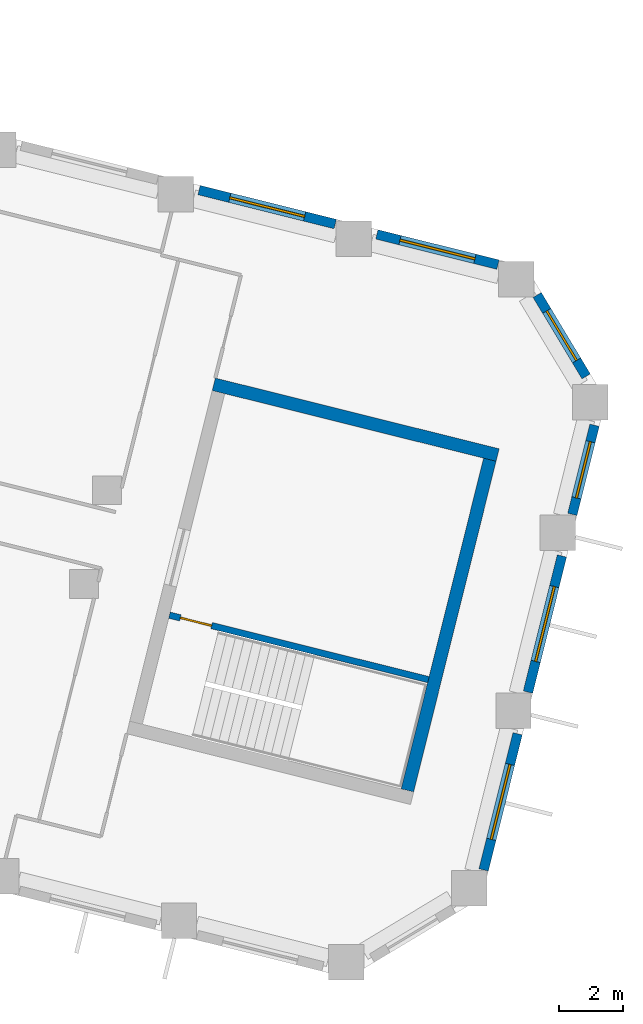
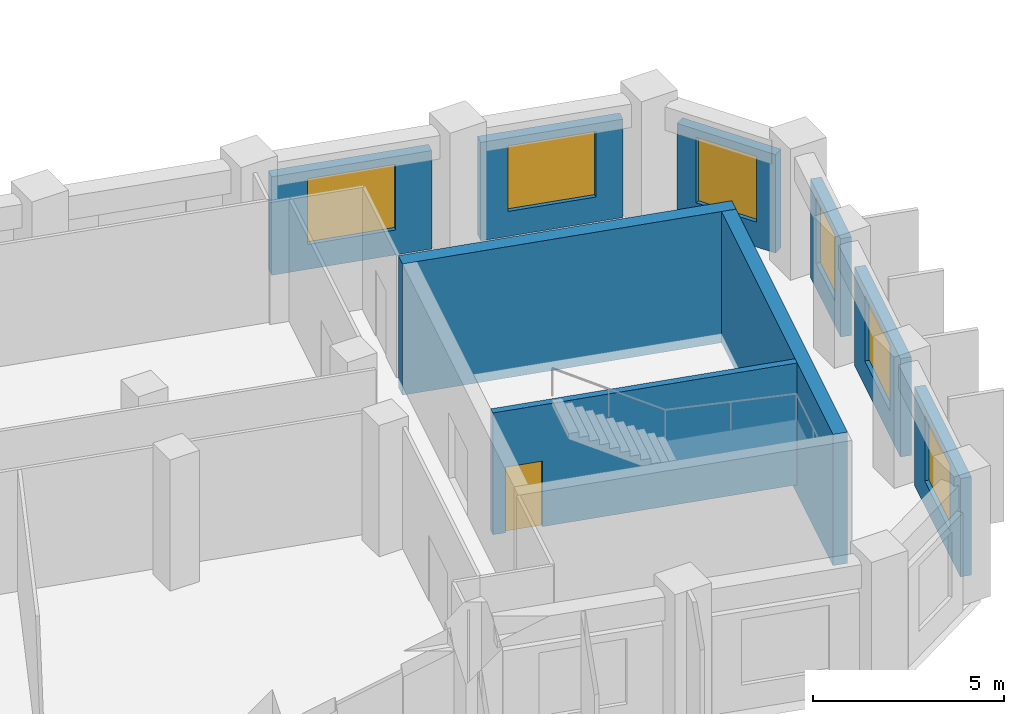
# One storey, part 7 of 10: 9 walls, 6 windows, 1 door, 7 openings.
"""IFC4 building model written with IfcOpenShell, lengths in metres."""

import ifcopenshell
import ifcopenshell.guid

model = None  # the IFC model being written
_history = None  # IfcOwnerHistory: only IFC2X3 demands one
_inside = {}  # id of a spatial element -> (the spatial element, [elements in it])
_under = {}  # id of a project, library or spatial element -> (it, [spatial elements below it])
_declared = {}  # id of a project -> (the project, [libraries it declares])
_typed = {}  # id of a type object -> (the type object, [elements of that type])
_made_of = {}  # id of a material, layer set ... -> (it, [elements and type objects made of it])


def new_model(schema):
    """Start an empty IFC model of exactly this schema.

    Asked for "IFC4X3", IfcOpenShell would pick the latest addendum, in which some entities
    have other attributes; the version numbers below select the first issue.
    IFC2X3 requires an IfcOwnerHistory on every rooted entity: one is made here for all.
    """
    global model, _history
    if schema == "IFC4X3":
        model = ifcopenshell.file(schema_version=(4, 3, 0, 0))
    else:
        model = ifcopenshell.file(schema=schema)
    _inside.clear()
    _under.clear()
    _declared.clear()
    _typed.clear()
    _made_of.clear()
    _history = None
    if model.schema == "IFC2X3":
        org = make("IfcOrganization", Name="unknown")
        user = make(
            "IfcPersonAndOrganization",
            ThePerson=make("IfcPerson", FamilyName="unknown"),
            TheOrganization=org,
        )
        app = make(
            "IfcApplication",
            ApplicationDeveloper=org,
            Version="unknown",
            ApplicationFullName="unknown",
            ApplicationIdentifier="unknown",
        )
        _history = make(
            "IfcOwnerHistory",
            OwningUser=user,
            OwningApplication=app,
            ChangeAction="ADDED",
            CreationDate=0,
        )
    return model


def make(cls, **values):
    """One entity of the class cls with the attributes given. An attribute that is None is left unset."""
    return model.create_entity(
        cls, **{name: value for name, value in values.items() if value is not None}
    )


def rooted(cls, **values):
    """An entity with a GlobalId (a new one), such as an element, a storey or a relation."""
    return make(cls, GlobalId=ifcopenshell.guid.new(), OwnerHistory=_history, **values)


def si_unit(unit_type, name, prefix=None):
    """IfcSIUnit, for example si_unit("LENGTHUNIT", "METRE", prefix="MILLI")."""
    return make("IfcSIUnit", UnitType=unit_type, Prefix=prefix, Name=name)


def assignment(units):
    """IfcUnitAssignment: the units of a project."""
    return None if units is None else make("IfcUnitAssignment", Units=units)


def point(xyz):
    """IfcCartesianPoint."""
    return None if xyz is None else make("IfcCartesianPoint", Coordinates=xyz)


def direction(xyz):
    """IfcDirection."""
    return None if xyz is None else make("IfcDirection", DirectionRatios=xyz)


def frame(location, z_axis=None, x_axis=None):
    """IfcAxis2Placement3D, a coordinate frame: its origin and axes. An axis left out is left unset."""
    return make(
        "IfcAxis2Placement3D",
        Location=point(location),
        Axis=direction(z_axis),
        RefDirection=direction(x_axis),
    )


def frame_2d(location, x_axis=None):
    """IfcAxis2Placement2D, a coordinate frame in the plane: its origin and x axis."""
    return make(
        "IfcAxis2Placement2D", Location=point(location), RefDirection=direction(x_axis)
    )


def origin():
    """The frame at (0, 0, 0) with its axes left unset."""
    return frame((0.0, 0.0, 0.0))


def place(relative_to, where):
    """IfcLocalPlacement: puts the frame where relative to a parent placement (None: the world)."""
    return make(
        "IfcLocalPlacement", PlacementRelTo=relative_to, RelativePlacement=where
    )


def context(
    kind, dimensions, precision=None, world=None, true_north=None, identifier=None
):
    """IfcGeometricRepresentationContext, for example the 3D "Model" context."""
    return make(
        "IfcGeometricRepresentationContext",
        ContextIdentifier=identifier,
        ContextType=kind,
        CoordinateSpaceDimension=dimensions,
        Precision=precision,
        WorldCoordinateSystem=world,
        TrueNorth=true_north,
    )


def subcontext(parent, identifier, kind, view, scale=None):
    """IfcGeometricRepresentationSubContext, for example "Body" below "Model"."""
    return make(
        "IfcGeometricRepresentationSubContext",
        ContextIdentifier=identifier,
        ContextType=kind,
        ParentContext=parent,
        TargetScale=scale,
        TargetView=view,
    )


def project(units=None, contexts=None):
    """IfcProject with its units and contexts."""
    return rooted(
        "IfcProject",
        Name="project",
        RepresentationContexts=contexts,
        UnitsInContext=assignment(units),
    )


def spatial(cls, under=None, at=None, **own):
    """A site, building, storey or space (cls), placed at a placement, below another one or the project."""
    s = rooted(cls, ObjectPlacement=at, **own)
    if under is not None:
        _under.setdefault(under.id(), (under, []))[1].append(s)
    return s


def profile(cls, at=None, kind="AREA", **sizes):
    """A parametric profile (cls). Its sizes go by their IFC names, for example OverallWidth=200.0."""
    return make(cls, ProfileType=kind, Position=at, **sizes)


def rectangle(**sizes):
    """IfcRectangleProfileDef."""
    return profile("IfcRectangleProfileDef", **sizes)


def extrude(swept, where, along, depth):
    """IfcExtrudedAreaSolid: the profile swept, set in the frame where, extruded along a direction by depth."""
    return make(
        "IfcExtrudedAreaSolid",
        SweptArea=swept,
        Position=where,
        ExtrudedDirection=direction(along),
        Depth=depth,
    )


def shape(context_of_items, identifier, shape_type, items):
    """IfcShapeRepresentation: the items that make up one representation, for example the "Body"."""
    return make(
        "IfcShapeRepresentation",
        ContextOfItems=context_of_items,
        RepresentationIdentifier=identifier,
        RepresentationType=shape_type,
        Items=items,
    )


def material(Name=None, Category=None):
    """IfcMaterial."""
    return make("IfcMaterial", Name=Name, Category=Category)


def layer(
    of_material, thickness, ventilated=None, Name=None, Category=None, Priority=None
):
    """IfcMaterialLayer: one layer of a wall or slab, of a material (None: an air gap)."""
    return make(
        "IfcMaterialLayer",
        Material=of_material,
        LayerThickness=thickness,
        IsVentilated=ventilated,
        Name=Name,
        Category=Category,
        Priority=Priority,
    )


def layer_set(layers, Name=None):
    """IfcMaterialLayerSet."""
    return make("IfcMaterialLayerSet", MaterialLayers=layers, LayerSetName=Name)


def made_of(thing, what):
    """Note that an element or type object is made of a material, layer set ...; save() writes the relation."""
    if what is not None:
        _made_of.setdefault(what.id(), (what, []))[1].append(thing)
    return thing


def type_object(cls, material=None, **own):
    """A type object (cls), such as IfcWallType, which elements share."""
    return made_of(rooted(cls, **own), material)


def element(
    cls,
    number,
    at=None,
    inside=None,
    cuts=None,
    type_object=None,
    material=None,
    context=None,
    identifier="Body",
    shape_type=None,
    held_by="IfcProductDefinitionShape",
    body=None,
    shapes=None,
    **own,
):
    """One element of the class cls, such as IfcWall. Its Tag is "e" and its number.

    at: its placement. inside: the storey or other place that contains it. cuts: it is an
    opening in that element (IfcRelVoidsElement). A single representation is given by context,
    identifier, shape_type and body (its items); several are given by shapes. held_by: the class
    of the entity that holds the representations. save() writes the other relations.
    """
    e = rooted(cls, Tag="e%d" % number, ObjectPlacement=at, **own)
    if body is not None:
        shapes = [shape(context, identifier, shape_type, body)]
    if shapes is not None:
        e.Representation = make(held_by, Representations=shapes)
    if inside is not None:
        _inside.setdefault(inside.id(), (inside, []))[1].append(e)
    if cuts is not None:
        rooted(
            "IfcRelVoidsElement", RelatingBuildingElement=cuts, RelatedOpeningElement=e
        )
    if type_object is not None:
        _typed.setdefault(type_object.id(), (type_object, []))[1].append(e)
    return made_of(e, material)


def fill(opening, filler):
    """IfcRelFillsElement: the door or window that sits in an opening."""
    return rooted(
        "IfcRelFillsElement",
        RelatingOpeningElement=opening,
        RelatedBuildingElement=filler,
    )


def aggregate(whole, parts):
    """IfcRelAggregates: a whole, such as a stair, and the parts it consists of."""
    return rooted("IfcRelAggregates", RelatingObject=whole, RelatedObjects=parts)


def save(model, path):
    """Write the relations noted so far, then the file.

    IfcRelAggregates (storeys below a building ...), IfcRelContainedInSpatialStructure (elements
    in a storey), IfcRelDefinesByType, IfcRelAssociatesMaterial and IfcRelDeclares: one each for
    every whole, place, type object, material and project.
    """
    for whole, parts in _under.values():
        aggregate(whole, parts)
    for where, things in _inside.values():
        rooted(
            "IfcRelContainedInSpatialStructure",
            RelatedElements=things,
            RelatingStructure=where,
        )
    for kind, things in _typed.values():
        rooted("IfcRelDefinesByType", RelatedObjects=things, RelatingType=kind)
    for what, things in _made_of.values():
        rooted("IfcRelAssociatesMaterial", RelatedObjects=things, RelatingMaterial=what)
    for by, libraries in _declared.values():
        rooted("IfcRelDeclares", RelatingContext=by, RelatedDefinitions=libraries)
    model.write(path)


model = new_model("IFC4")

# Units and contexts
model_context = context("Model", 3, precision=1e-05, world=origin(), true_north=direction((0.0, 1.0)))
body_context = subcontext(model_context, "Body", "Model", "MODEL_VIEW")
ifc_project = project(units=[si_unit("LENGTHUNIT", "METRE"), si_unit("AREAUNIT", "SQUARE_METRE"), si_unit("VOLUMEUNIT", "CUBIC_METRE"), si_unit("PLANEANGLEUNIT", "RADIAN"), si_unit("MASSUNIT", "GRAM", prefix="KILO")], contexts=[model_context])

# Site, building, storey
site_placement = place(None, origin())
site = spatial("IfcSite", under=ifc_project, at=site_placement, CompositionType="ELEMENT")
building_placement = place(site_placement, origin())
building = spatial("IfcBuilding", under=site, at=building_placement, Name="Meshkara Civic Tower", CompositionType="ELEMENT")
storey_placement = place(building_placement, frame((0.0, 0.0, 276.0)))
storey = spatial("IfcBuildingStorey", under=building, at=storey_placement, Name="L63", CompositionType="ELEMENT", Elevation=276.0)

# Wall, opening, window
ifc_material_1 = material(Name="Insulated infill panel with bronze anodised aluminium cladding", Category="aluminium")
ifc_layer_1 = layer(ifc_material_1, 0.300048828125)
ifc_layer_set_1 = layer_set([ifc_layer_1], Name="EXTERNAL INFILL WALL 300")
wall_type_1 = type_object("IfcWallType", Name="EXTERNAL INFILL WALL 300", PredefinedType="SOLIDWALL", material=ifc_layer_set_1)
wall_1_placement = place(storey_placement, frame((71.02001953125, 5.635986328125, 0.0), z_axis=(0.0, 0.0, 1.0), x_axis=(-0.970297701374, 0.241913973777, 0.0)))
wall_1 = element("IfcWall", 1, at=wall_1_placement, inside=storey, type_object=wall_type_1, Name="External wall", PredefinedType="SOLIDWALL", context=body_context, shape_type="SweptSolid", body=[
    extrude(rectangle(XDim=3.88134765625, YDim=0.300048828125, at=frame_2d((1.940673828125, 0.0))), origin(), (0.0, 0.0, 1.0), 3.14990234375),
])
opening_1_placement = place(wall_1_placement, frame((0.740966796875, 0.0, 0.800048828125)))
opening_1 = element("IfcOpeningElement", 2, at=opening_1_placement, cuts=wall_1, Name="Opening W7", PredefinedType="OPENING", context=body_context, shape_type="SweptSolid", body=[
    extrude(rectangle(XDim=2.39990234375, YDim=2.10009765625, at=frame_2d((1.199951171875, 1.050048828125))), frame((0.0, 0.159912109375, 0.0), z_axis=(0.0, -1.0, 0.0), x_axis=(1.0, 0.0, 0.0)), (0.0, 0.0, 1.0), 0.320068359375),
])
ifc_material_2 = material(Name="Tinted double glazing", Category="glass")
window_type_1 = type_object("IfcWindowType", Name="WINDOW 2400x2100", PartitioningType="DOUBLE_PANEL_VERTICAL", PredefinedType="WINDOW", material=ifc_material_2)
window_1_placement = place(opening_1_placement, origin())
window_1 = element("IfcWindow", 3, at=window_1_placement, inside=storey, type_object=window_type_1, Name="Window", OverallHeight=2.10009765625, OverallWidth=2.39990234375, PartitioningType="DOUBLE_PANEL_VERTICAL", PredefinedType="WINDOW", context=body_context, shape_type="SweptSolid", body=[
    extrude(rectangle(XDim=2.39990234375, YDim=2.10009765625, at=frame_2d((1.199951171875, 1.050048828125))), frame((0.0, 0.030029296875, 0.0), z_axis=(0.0, -1.0, 0.0), x_axis=(1.0, 0.0, 0.0)), (0.0, 0.0, 1.0), 0.06005859375),
])
fill(opening_1, window_1)

wall_2_placement = place(storey_placement, frame((65.9599609375, 6.89794921875, 0.0), z_axis=(0.0, 0.0, 1.0), x_axis=(-0.970309996763, 0.241864652607, 0.0)))
wall_2 = element("IfcWall", 4, at=wall_2_placement, inside=storey, type_object=wall_type_1, Name="External wall", PredefinedType="SOLIDWALL", context=body_context, shape_type="SweptSolid", body=[
    extrude(rectangle(XDim=4.36669921875, YDim=0.300048828125, at=frame_2d((2.183349609375, 0.0))), origin(), (0.0, 0.0, 1.0), 3.14990234375),
])
opening_2_placement = place(wall_2_placement, frame((0.98291015625, 0.0, 0.800048828125)))
opening_2 = element("IfcOpeningElement", 5, at=opening_2_placement, cuts=wall_2, Name="Opening W7", PredefinedType="OPENING", context=body_context, shape_type="SweptSolid", body=[
    extrude(rectangle(XDim=2.39990234375, YDim=2.10009765625, at=frame_2d((1.199951171875, 1.050048828125))), frame((0.0, 0.159912109375, 0.0), z_axis=(0.0, -1.0, 0.0), x_axis=(1.0, 0.0, 0.0)), (0.0, 0.0, 1.0), 0.320068359375),
])
window_2_placement = place(opening_2_placement, origin())
window_2 = element("IfcWindow", 6, at=window_2_placement, inside=storey, type_object=window_type_1, Name="Window", OverallHeight=2.10009765625, OverallWidth=2.39990234375, PartitioningType="DOUBLE_PANEL_VERTICAL", PredefinedType="WINDOW", context=body_context, shape_type="SweptSolid", body=[
    extrude(rectangle(XDim=2.39990234375, YDim=2.10009765625, at=frame_2d((1.199951171875, 1.050048828125))), frame((0.0, 0.030029296875, 0.0), z_axis=(0.0, -1.0, 0.0), x_axis=(1.0, 0.0, 0.0)), (0.0, 0.0, 1.0), 0.06005859375),
])
fill(opening_2, window_2)

wall_3_placement = place(storey_placement, frame((70.574951171875, -13.19189453125, 0.0), z_axis=(0.0, 0.0, 1.0), x_axis=(0.241877774353, 0.970306725873, 0.0)))
wall_3 = element("IfcWall", 7, at=wall_3_placement, inside=storey, type_object=wall_type_1, Name="External wall", PredefinedType="SOLIDWALL", context=body_context, shape_type="SweptSolid", body=[
    extrude(rectangle(XDim=4.366455078125, YDim=0.300048828125, at=frame_2d((2.18310546875, 0.0))), origin(), (0.0, 0.0, 1.0), 3.14990234375),
])
opening_3_placement = place(wall_3_placement, frame((0.98291015625, 0.0, 0.800048828125)))
opening_3 = element("IfcOpeningElement", 8, at=opening_3_placement, cuts=wall_3, Name="Opening W7", PredefinedType="OPENING", context=body_context, shape_type="SweptSolid", body=[
    extrude(rectangle(XDim=2.39990234375, YDim=2.10009765625, at=frame_2d((1.199951171875, 1.050048828125))), frame((0.0, 0.159912109375, 0.0), z_axis=(0.0, -1.0, 0.0), x_axis=(1.0, 0.0, 0.0)), (0.0, 0.0, 1.0), 0.320068359375),
])
window_3_placement = place(opening_3_placement, origin())
window_3 = element("IfcWindow", 9, at=window_3_placement, inside=storey, type_object=window_type_1, Name="Window", OverallHeight=2.10009765625, OverallWidth=2.39990234375, PartitioningType="DOUBLE_PANEL_VERTICAL", PredefinedType="WINDOW", context=body_context, shape_type="SweptSolid", body=[
    extrude(rectangle(XDim=2.39990234375, YDim=2.10009765625, at=frame_2d((1.199951171875, 1.050048828125))), frame((0.0, 0.030029296875, 0.0), z_axis=(0.0, -1.0, 0.0), x_axis=(1.0, 0.0, 0.0)), (0.0, 0.0, 1.0), 0.06005859375),
])
fill(opening_3, window_3)

wall_4_placement = place(storey_placement, frame((71.9541015625, -7.660888671875, 0.0), z_axis=(0.0, 0.0, 1.0), x_axis=(0.241877622649, 0.97030676369, 0.0)))
wall_4 = element("IfcWall", 10, at=wall_4_placement, inside=storey, type_object=wall_type_1, Name="External wall", PredefinedType="SOLIDWALL", context=body_context, shape_type="SweptSolid", body=[
    extrude(rectangle(XDim=4.365478515625, YDim=0.300048828125, at=frame_2d((2.1826171875, 0.0))), origin(), (0.0, 0.0, 1.0), 3.14990234375),
])
opening_4_placement = place(wall_4_placement, frame((0.98291015625, 0.0, 0.800048828125)))
opening_4 = element("IfcOpeningElement", 11, at=opening_4_placement, cuts=wall_4, Name="Opening W7", PredefinedType="OPENING", context=body_context, shape_type="SweptSolid", body=[
    extrude(rectangle(XDim=2.39990234375, YDim=2.10009765625, at=frame_2d((1.199951171875, 1.050048828125))), frame((0.0, 0.159912109375, 0.0), z_axis=(0.0, -1.0, 0.0), x_axis=(1.0, 0.0, 0.0)), (0.0, 0.0, 1.0), 0.320068359375),
])
window_4_placement = place(opening_4_placement, origin())
window_4 = element("IfcWindow", 12, at=window_4_placement, inside=storey, type_object=window_type_1, Name="Window", OverallHeight=2.10009765625, OverallWidth=2.39990234375, PartitioningType="DOUBLE_PANEL_VERTICAL", PredefinedType="WINDOW", context=body_context, shape_type="SweptSolid", body=[
    extrude(rectangle(XDim=2.39990234375, YDim=2.10009765625, at=frame_2d((1.199951171875, 1.050048828125))), frame((0.0, 0.030029296875, 0.0), z_axis=(0.0, -1.0, 0.0), x_axis=(1.0, 0.0, 0.0)), (0.0, 0.0, 1.0), 0.06005859375),
])
fill(opening_4, window_4)

wall_5_placement = place(storey_placement, frame((73.3330078125, -2.131103515625, 0.0), z_axis=(0.0, 0.0, 1.0), x_axis=(0.241770612026, 0.970333432981, 0.0)))
wall_5 = element("IfcWall", 13, at=wall_5_placement, inside=storey, type_object=wall_type_1, Name="External wall", PredefinedType="SOLIDWALL", context=body_context, shape_type="SweptSolid", body=[
    extrude(rectangle(XDim=2.853759765625, YDim=0.300048828125, at=frame_2d((1.4267578125, 0.0))), origin(), (0.0, 0.0, 1.0), 3.14990234375),
])
opening_5_placement = place(wall_5_placement, frame((0.527099609375, 0.0, 0.800048828125)))
opening_5 = element("IfcOpeningElement", 14, at=opening_5_placement, cuts=wall_5, Name="Opening W9", PredefinedType="OPENING", context=body_context, shape_type="SweptSolid", body=[
    extrude(rectangle(XDim=1.800048828125, YDim=2.10009765625, at=frame_2d((0.89990234375, 1.050048828125))), frame((0.0, 0.159912109375, 0.0), z_axis=(0.0, -1.0, 0.0), x_axis=(1.0, 0.0, 0.0)), (0.0, 0.0, 1.0), 0.320068359375),
])
ifc_material_3 = material(Name="Tinted double glazing", Category="glass")
window_type_2 = type_object("IfcWindowType", Name="WINDOW 1800x2100", PartitioningType="DOUBLE_PANEL_VERTICAL", PredefinedType="WINDOW", material=ifc_material_3)
window_5_placement = place(opening_5_placement, origin())
window_5 = element("IfcWindow", 15, at=window_5_placement, inside=storey, type_object=window_type_2, Name="Window", OverallHeight=2.10009765625, OverallWidth=1.800048828125, PartitioningType="DOUBLE_PANEL_VERTICAL", PredefinedType="WINDOW", context=body_context, shape_type="SweptSolid", body=[
    extrude(rectangle(XDim=1.800048828125, YDim=2.10009765625, at=frame_2d((0.89990234375, 1.050048828125))), frame((0.0, 0.030029296875, 0.0), z_axis=(0.0, -1.0, 0.0), x_axis=(1.0, 0.0, 0.0)), (0.0, 0.0, 1.0), 0.06005859375),
])
fill(opening_5, window_5)

wall_6_placement = place(storey_placement, frame((73.761962890625, 2.159912109375, 0.0), z_axis=(0.0, 0.0, 1.0), x_axis=(-0.515334317037, 0.856989230786, 0.0)))
wall_6 = element("IfcWall", 16, at=wall_6_placement, inside=storey, type_object=wall_type_1, Name="External wall", PredefinedType="SOLIDWALL", context=body_context, shape_type="SweptSolid", body=[
    extrude(rectangle(XDim=2.953369140625, YDim=0.300048828125, at=frame_2d((1.4765625, 0.0))), origin(), (0.0, 0.0, 1.0), 3.14990234375),
])
opening_6_placement = place(wall_6_placement, frame((0.576904296875, 0.0, 0.800048828125)))
opening_6 = element("IfcOpeningElement", 17, at=opening_6_placement, cuts=wall_6, Name="Opening W9", PredefinedType="OPENING", context=body_context, shape_type="SweptSolid", body=[
    extrude(rectangle(XDim=1.800048828125, YDim=2.10009765625, at=frame_2d((0.89990234375, 1.050048828125))), frame((0.0, 0.159912109375, 0.0), z_axis=(0.0, -1.0, 0.0), x_axis=(1.0, 0.0, 0.0)), (0.0, 0.0, 1.0), 0.320068359375),
])
window_6_placement = place(opening_6_placement, origin())
window_6 = element("IfcWindow", 18, at=window_6_placement, inside=storey, type_object=window_type_2, Name="Window", OverallHeight=2.10009765625, OverallWidth=1.800048828125, PartitioningType="DOUBLE_PANEL_VERTICAL", PredefinedType="WINDOW", context=body_context, shape_type="SweptSolid", body=[
    extrude(rectangle(XDim=1.800048828125, YDim=2.10009765625, at=frame_2d((0.89990234375, 1.050048828125))), frame((0.0, 0.030029296875, 0.0), z_axis=(0.0, -1.0, 0.0), x_axis=(1.0, 0.0, 0.0)), (0.0, 0.0, 1.0), 0.06005859375),
])
fill(opening_6, window_6)

# Walls
ifc_material_4 = material(Name="Concrete C60", Category="concrete")
ifc_layer_2 = layer(ifc_material_4, 0.39990234375)
ifc_layer_set_2 = layer_set([ifc_layer_2], Name="End core ring wall 400 C60")
wall_type_2 = type_object("IfcWallType", Name="End core ring wall 400 C60", PredefinedType="SHEAR", material=ifc_layer_set_2)
wall_7_placement = place(storey_placement, frame((62.179931640625, 1.9140625, -0.300048828125), z_axis=(0.0, 0.0, 1.0), x_axis=(0.970306400786, -0.241879078453, 0.0)))
element("IfcWall", 19, at=wall_7_placement, inside=storey, type_object=wall_type_2, Name="L63-C028", PredefinedType="SHEAR", context=body_context, shape_type="SweptSolid", body=[
    extrude(rectangle(XDim=9.100341796875, YDim=0.39990234375, at=frame_2d((4.55029296875, 0.0))), origin(), (0.0, 0.0, 1.0), 4.199951171875),
])
wall_8_placement = place(storey_placement, frame((68.202880859375, -10.718017578125, -0.300048828125), z_axis=(0.0, 0.0, 1.0), x_axis=(0.241912337509, 0.970298109326, 0.0)))
element("IfcWall", 20, at=wall_8_placement, inside=storey, type_object=wall_type_2, Name="L63-C030", PredefinedType="SHEAR", context=body_context, shape_type="SweptSolid", body=[
    extrude(rectangle(XDim=10.599853515625, YDim=0.39990234375, at=frame_2d((5.2998046875, 0.0))), origin(), (0.0, 0.0, 1.0), 4.199951171875),
])

# Wall, opening, door
ifc_material_5 = material(Name="Concrete C40/50", Category="concrete")
ifc_layer_3 = layer(ifc_material_5, 0.199951171875)
ifc_layer_set_3 = layer_set([ifc_layer_3], Name="Stair enclosure wall 200 C40/50")
wall_type_3 = type_object("IfcWallType", Name="Stair enclosure wall 200 C40/50", PredefinedType="SOLIDWALL", material=ifc_layer_set_3)
wall_9_placement = place(storey_placement, frame((60.802001953125, -5.26611328125, 0.0), z_axis=(0.0, 0.0, 1.0), x_axis=(0.970303192681, -0.241891947516, 0.0)))
wall_9 = element("IfcWall", 21, at=wall_9_placement, inside=storey, type_object=wall_type_3, Name="L63-C031", PredefinedType="SOLIDWALL", context=body_context, shape_type="SweptSolid", body=[
    extrude(rectangle(XDim=8.300537109375, YDim=0.199951171875, at=frame_2d((4.150390625, 0.0))), origin(), (0.0, 0.0, 1.0), 3.89990234375),
])
opening_7_placement = place(wall_9_placement, frame((0.35009765625, 0.0, 0.0)))
opening_7 = element("IfcOpeningElement", 22, at=opening_7_placement, cuts=wall_9, Name="Opening L63-K201", PredefinedType="OPENING", context=body_context, shape_type="SweptSolid", body=[
    extrude(rectangle(XDim=1.0, YDim=2.10009765625, at=frame_2d((0.5, 1.050048828125))), frame((0.0, 0.10986328125, 0.0), z_axis=(0.0, -1.0, 0.0), x_axis=(1.0, 0.0, 0.0)), (0.0, 0.0, 1.0), 0.219970703125),
])
ifc_material_6 = material(Name="Fire-rated door leaf in steel frame", Category="steel")
door_type = type_object("IfcDoorType", Name="Stair door 1000 EI 120", OperationType="SINGLE_SWING_LEFT", PredefinedType="DOOR", material=ifc_material_6)
door_placement = place(opening_7_placement, origin())
door = element("IfcDoor", 23, at=door_placement, inside=storey, type_object=door_type, Name="L63-K201", OperationType="SINGLE_SWING_LEFT", OverallHeight=2.10009765625, OverallWidth=1.0, PredefinedType="DOOR", context=body_context, shape_type="SweptSolid", body=[
    extrude(rectangle(XDim=1.0, YDim=2.10009765625, at=frame_2d((0.5, 1.050048828125))), frame((0.0, 0.02490234375, 0.0), z_axis=(0.0, -1.0, 0.0), x_axis=(1.0, 0.0, 0.0)), (0.0, 0.0, 1.0), 0.050048828125),
])
fill(opening_7, door)

save(model, "model.ifc")
